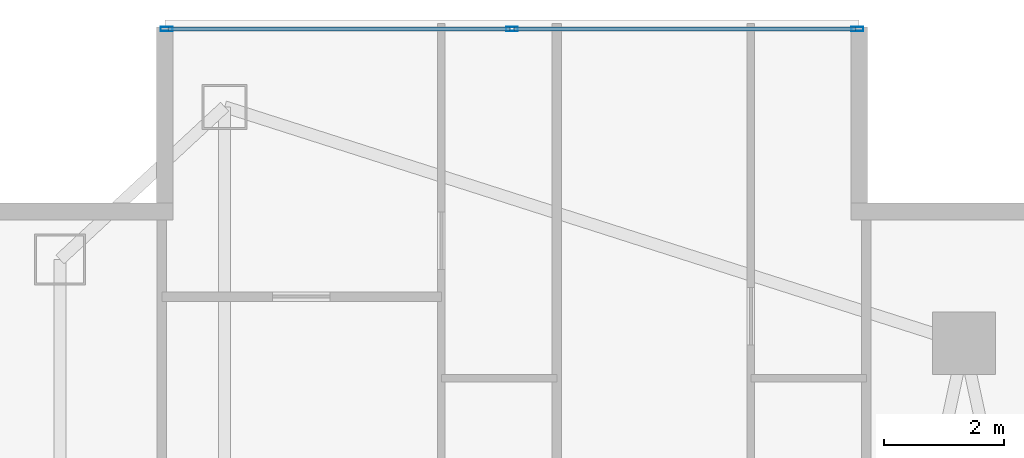
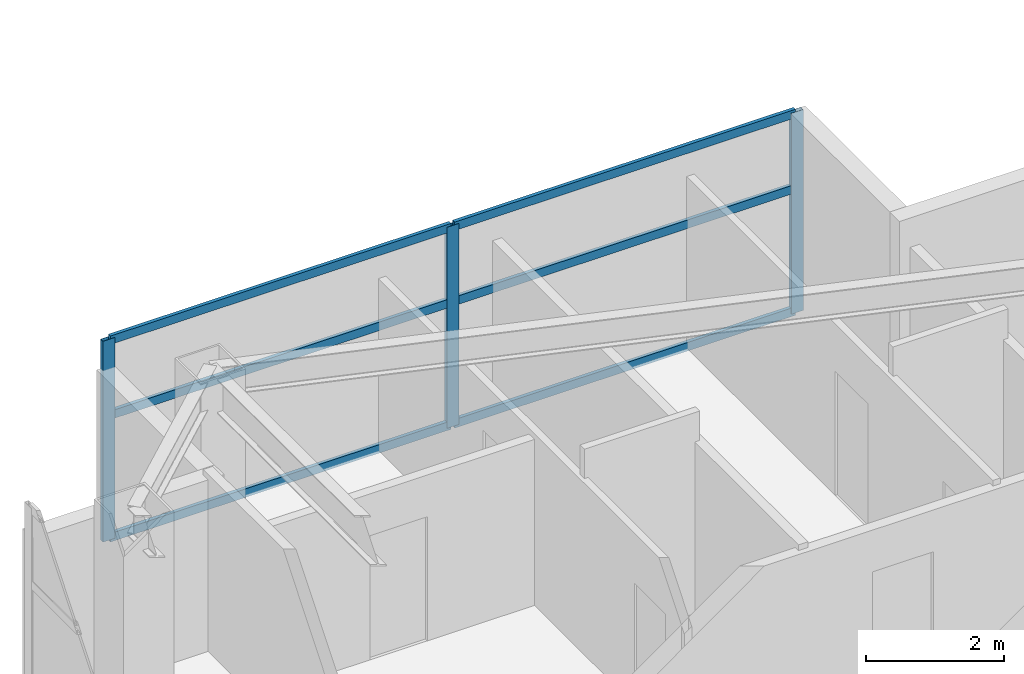
# One storey, part 19 of 29: 9 members, 1 element without a shape of its own.
"""IFC4 building model written with IfcOpenShell, lengths in metres."""

from ifc_helpers import new_model, si_unit, direction, frame, origin, origin_2d, place, context, subcontext, project, spatial, hollow_rectangle, extrude, material, layer, layer_set, material_profile, profile_set, type_object, element, aggregate, save


model = new_model("IFC4")

# Units and contexts
model_context = context("Model", 3, precision=1e-05, world=origin(), true_north=direction((0.0, 1.0)))
body_context = subcontext(model_context, "Body", "Model", "MODEL_VIEW")
ifc_project = project(units=[si_unit("LENGTHUNIT", "METRE"), si_unit("AREAUNIT", "SQUARE_METRE"), si_unit("VOLUMEUNIT", "CUBIC_METRE"), si_unit("PLANEANGLEUNIT", "RADIAN"), si_unit("MASSUNIT", "GRAM", prefix="KILO")], contexts=[model_context])

# Site, building, storey
site_placement = place(None, origin())
site = spatial("IfcSite", under=ifc_project, at=site_placement, CompositionType="ELEMENT")
building_placement = place(site_placement, origin())
building = spatial("IfcBuilding", under=site, at=building_placement, Name="Calvorn Quay Hotel", CompositionType="ELEMENT")
storey_placement = place(building_placement, frame((0.0, 0.0, 163.699951171875)))
storey = spatial("IfcBuildingStorey", under=building, at=storey_placement, Name="L40", CompositionType="ELEMENT", Elevation=163.699951171875)

# Curtain wall, members
ifc_material_1 = material(Name="Pale Anodised Aluminium and Low-E Glass", Category="aluminium")
ifc_layer = layer(ifc_material_1, 0.219970703125)
ifc_layer_set = layer_set([ifc_layer], Name="CW-SYS-Z2")
curtain_wall_type = type_object("IfcCurtainWallType", Name="CW-SYS-Z2", PredefinedType="NOTDEFINED", material=ifc_layer_set)
curtain_wall_placement = place(storey_placement, origin())
curtain_wall = element("IfcCurtainWall", 1, at=curtain_wall_placement, inside=storey, type_object=curtain_wall_type, Name="Inner Court Curtain Wall L40-N1", PredefinedType="NOTDEFINED")
ifc_material_2 = material(Name="Pale Anodised Aluminium 6063-T6", Category="aluminium")
ifc_material_profile_1 = material_profile(ifc_material_2, hollow_rectangle(XDim=0.070068359375, YDim=0.199951171875, WallThickness=0.00390625, at=origin_2d()), Name="ALU-M200x70x4")
ifc_profile_set_1 = profile_set([ifc_material_profile_1], Name="Pale Anodised Aluminium 6063-T6")
member_type_1 = type_object("IfcMemberType", Name="CW-SYS-Z2-MUL", PredefinedType="MULLION", material=ifc_profile_set_1)
member_1_placement = place(storey_placement, frame((14.77001953125, 50.85009765625, 0.0), z_axis=(0.0, 0.0, 1.0), x_axis=(0.0, -1.0, 0.0)))
member_1 = element("IfcMember", 2, at=member_1_placement, type_object=member_type_1, Name="CW-L40-N1 mullion 1", PredefinedType="MULLION", context=body_context, shape_type="SweptSolid", body=[
    extrude(hollow_rectangle(XDim=0.070068359375, YDim=0.199951171875, WallThickness=0.00390625, at=origin_2d()), origin(), (0.0, 0.0, 1.0), 3.56005859375),
])
member_2_placement = place(storey_placement, frame((9.0, 50.85009765625, 0.0), z_axis=(0.0, 0.0, 1.0), x_axis=(0.0, -1.0, 0.0)))
member_2 = element("IfcMember", 3, at=member_2_placement, type_object=member_type_1, Name="CW-L40-N1 mullion 2", PredefinedType="MULLION", context=body_context, shape_type="SweptSolid", body=[
    extrude(hollow_rectangle(XDim=0.070068359375, YDim=0.199951171875, WallThickness=0.00390625, at=origin_2d()), origin(), (0.0, 0.0, 1.0), 3.56005859375),
])
member_3_placement = place(storey_placement, frame((3.22998046875, 50.85009765625, 0.0), z_axis=(0.0, 0.0, 1.0), x_axis=(0.0, -1.0, 0.0)))
member_3 = element("IfcMember", 4, at=member_3_placement, type_object=member_type_1, Name="CW-L40-N1 mullion 3", PredefinedType="MULLION", context=body_context, shape_type="SweptSolid", body=[
    extrude(hollow_rectangle(XDim=0.070068359375, YDim=0.199951171875, WallThickness=0.00390625, at=origin_2d()), origin(), (0.0, 0.0, 1.0), 3.56005859375),
])
ifc_material_3 = material(Name="Pale Anodised Aluminium 6063-T6", Category="aluminium")
ifc_material_profile_2 = material_profile(ifc_material_3, hollow_rectangle(XDim=0.06005859375, YDim=0.14990234375, WallThickness=0.00341796875, at=origin_2d()), Name="ALU-T150x60x3.5")
ifc_profile_set_2 = profile_set([ifc_material_profile_2], Name="Pale Anodised Aluminium 6063-T6")
member_type_2 = type_object("IfcMemberType", Name="CW-SYS-Z2-TRN", PredefinedType="USERDEFINED", material=ifc_profile_set_2)
member_4_placement = place(storey_placement, frame((14.739990234375, 50.85009765625, 0.030029296875), z_axis=(-1.0, 0.0, 0.0), x_axis=(0.0, -1.0, 0.0)))
member_4 = element("IfcMember", 5, at=member_4_placement, type_object=member_type_2, Name="CW-L40-N1 transom 1.1", ObjectType="TRANSOM", PredefinedType="USERDEFINED", context=body_context, shape_type="SweptSolid", body=[
    extrude(hollow_rectangle(XDim=0.06005859375, YDim=0.14990234375, WallThickness=0.00341796875, at=origin_2d()), origin(), (0.0, 0.0, 1.0), 5.7099609375),
])
member_5_placement = place(storey_placement, frame((14.739990234375, 50.85009765625, 2.199951171875), z_axis=(-1.0, 0.0, 0.0), x_axis=(0.0, -1.0, 0.0)))
member_5 = element("IfcMember", 6, at=member_5_placement, type_object=member_type_2, Name="CW-L40-N1 transom 1.2", ObjectType="TRANSOM", PredefinedType="USERDEFINED", context=body_context, shape_type="SweptSolid", body=[
    extrude(hollow_rectangle(XDim=0.06005859375, YDim=0.14990234375, WallThickness=0.00341796875, at=origin_2d()), origin(), (0.0, 0.0, 1.0), 5.7099609375),
])
member_6_placement = place(storey_placement, frame((14.739990234375, 50.85009765625, 3.530029296875), z_axis=(-1.0, 0.0, 0.0), x_axis=(0.0, -1.0, 0.0)))
member_6 = element("IfcMember", 7, at=member_6_placement, type_object=member_type_2, Name="CW-L40-N1 transom 1.3", ObjectType="TRANSOM", PredefinedType="USERDEFINED", context=body_context, shape_type="SweptSolid", body=[
    extrude(hollow_rectangle(XDim=0.06005859375, YDim=0.14990234375, WallThickness=0.00341796875, at=origin_2d()), origin(), (0.0, 0.0, 1.0), 5.7099609375),
])
member_7_placement = place(storey_placement, frame((8.969970703125, 50.85009765625, 0.030029296875), z_axis=(-1.0, 0.0, 0.0), x_axis=(0.0, -1.0, 0.0)))
member_7 = element("IfcMember", 8, at=member_7_placement, type_object=member_type_2, Name="CW-L40-N1 transom 2.1", ObjectType="TRANSOM", PredefinedType="USERDEFINED", context=body_context, shape_type="SweptSolid", body=[
    extrude(hollow_rectangle(XDim=0.06005859375, YDim=0.14990234375, WallThickness=0.00341796875, at=origin_2d()), origin(), (0.0, 0.0, 1.0), 5.7099609375),
])
member_8_placement = place(storey_placement, frame((8.969970703125, 50.85009765625, 2.199951171875), z_axis=(-1.0, 0.0, 0.0), x_axis=(0.0, -1.0, 0.0)))
member_8 = element("IfcMember", 9, at=member_8_placement, type_object=member_type_2, Name="CW-L40-N1 transom 2.2", ObjectType="TRANSOM", PredefinedType="USERDEFINED", context=body_context, shape_type="SweptSolid", body=[
    extrude(hollow_rectangle(XDim=0.06005859375, YDim=0.14990234375, WallThickness=0.00341796875, at=origin_2d()), origin(), (0.0, 0.0, 1.0), 5.7099609375),
])
member_9_placement = place(storey_placement, frame((8.969970703125, 50.85009765625, 3.530029296875), z_axis=(-1.0, 0.0, 0.0), x_axis=(0.0, -1.0, 0.0)))
member_9 = element("IfcMember", 10, at=member_9_placement, type_object=member_type_2, Name="CW-L40-N1 transom 2.3", ObjectType="TRANSOM", PredefinedType="USERDEFINED", context=body_context, shape_type="SweptSolid", body=[
    extrude(hollow_rectangle(XDim=0.06005859375, YDim=0.14990234375, WallThickness=0.00341796875, at=origin_2d()), origin(), (0.0, 0.0, 1.0), 5.7099609375),
])
aggregate(curtain_wall, [member_1, member_2, member_3, member_4, member_5, member_6, member_7, member_8, member_9])

save(model, "model.ifc")
